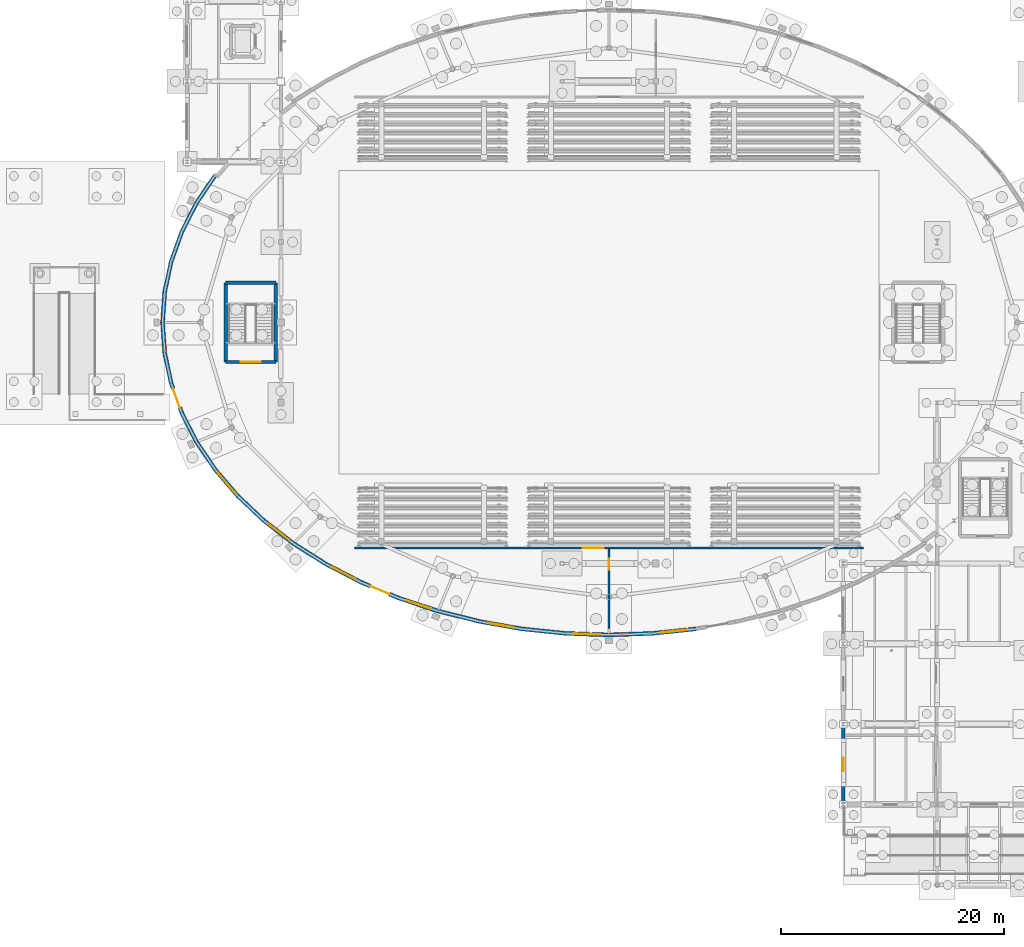
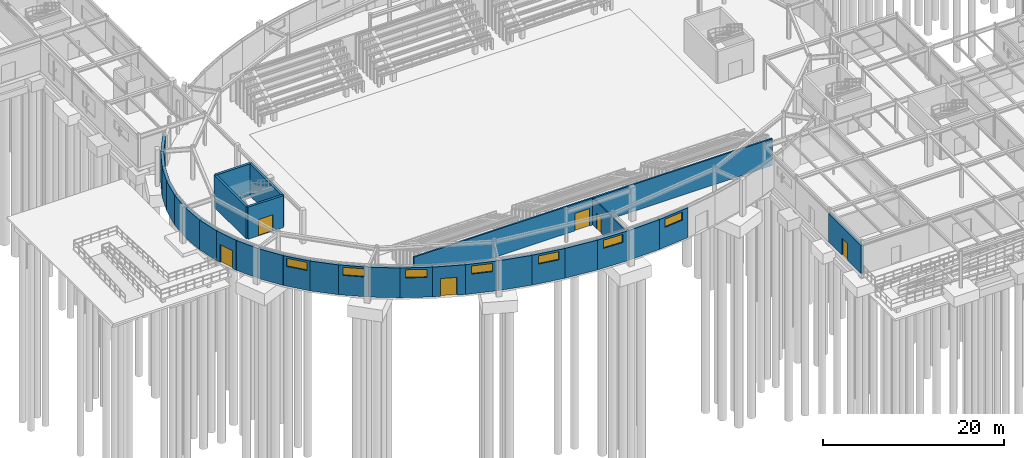
# One storey, part 57 of 93: 30 walls, 7 windows, 6 doors, 13 openings.
"""IFC4 building model written with IfcOpenShell, lengths in metres."""

from ifc_helpers import new_model, si_unit, derived_unit, direction, frame, frame_2d, origin, place, context, subcontext, project, spatial, rectangle, extrude, material, layer, layer_set, type_object, element, fill, save


model = new_model("IFC4")

# Units and contexts
model_context = context("Model", 3, precision=1e-05, world=origin(), true_north=direction((0.0, 1.0)))
body_context = subcontext(model_context, "Body", "Model", "MODEL_VIEW")
ifc_project = project(units=[si_unit("LENGTHUNIT", "METRE"), si_unit("AREAUNIT", "SQUARE_METRE"), si_unit("VOLUMEUNIT", "CUBIC_METRE"), si_unit("PLANEANGLEUNIT", "RADIAN"), si_unit("MASSUNIT", "GRAM", prefix="KILO"), derived_unit("THERMALTRANSMITTANCEUNIT", [(si_unit("MASSUNIT", "GRAM", prefix="KILO"), 1), (si_unit("TIMEUNIT", "SECOND"), -3), (si_unit("THERMODYNAMICTEMPERATUREUNIT", "KELVIN"), -1)])], contexts=[model_context])

# Site, building, storey
site_placement = place(None, origin())
site = spatial("IfcSite", under=ifc_project, at=site_placement, CompositionType="ELEMENT")
building_placement = place(site_placement, origin())
building = spatial("IfcBuilding", under=site, at=building_placement, Name="Kharveza Railside Sports Centre", CompositionType="ELEMENT")
storey_placement = place(building_placement, origin())
storey = spatial("IfcBuildingStorey", under=building, at=storey_placement, Name="L00", CompositionType="ELEMENT", Elevation=0.0)

# Wall, opening, door
ifc_material_1 = material(Name="Concrete C35/45", Category="concrete")
ifc_layer_1 = layer(ifc_material_1, 0.300048828125, Name="Concrete C35/45")
ifc_layer_set_1 = layer_set([ifc_layer_1], Name="Concrete C35/45")
wall_type_1 = type_object("IfcWallType", Name="WL-CR300", PredefinedType="SHEAR", material=ifc_layer_set_1)
wall_1_placement = place(storey_placement, frame((20.25, 46.85009765625, 0.0), z_axis=(0.0, 0.0, 1.0), x_axis=(1.0, 0.0, 0.0)))
wall_1 = element("IfcWall", 1, at=wall_1_placement, inside=storey, type_object=wall_type_1, Name="WL-CORE-ST7-L00-S", PredefinedType="SHEAR", context=body_context, shape_type="SweptSolid", body=[
    extrude(rectangle(XDim=4.5, YDim=0.300048828125, at=frame_2d((2.25, 0.0))), origin(), (0.0, 0.0, 1.0), 4.320068359375),
])
opening_1_placement = place(wall_1_placement, frame((1.35009765625, 0.0, 0.0)))
opening_1 = element("IfcOpeningElement", 2, at=opening_1_placement, cuts=wall_1, Name="Opening D08", PredefinedType="OPENING", context=body_context, shape_type="SweptSolid", body=[
    extrude(rectangle(XDim=1.800048828125, YDim=2.199951171875, at=frame_2d((0.89990234375, 1.10009765625))), frame((0.0, 0.1748046875, 0.0), z_axis=(0.0, -1.0, 0.0), x_axis=(1.0, 0.0, 0.0)), (0.0, 0.0, 1.0), 0.349853515625),
])
ifc_material_2 = material(Name="Fire-rated hardwood door leaf", Category="wood")
door_type_1 = type_object("IfcDoorType", Name="DR-ST01", OperationType="NOTDEFINED", PredefinedType="DOOR", material=ifc_material_2)
door_1_placement = place(opening_1_placement, frame((1.800048828125, 0.0, 0.0), z_axis=(0.0, 0.0, 1.0), x_axis=(-1.0, 0.0, 0.0)))
door_1 = element("IfcDoor", 3, at=door_1_placement, inside=storey, type_object=door_type_1, Name="DR-ST-ST7-L00", OperationType="DOUBLE_DOOR_SINGLE_SWING", OverallHeight=2.199951171875, OverallWidth=1.800048828125, PredefinedType="DOOR", context=body_context, shape_type="SweptSolid", body=[
    extrude(rectangle(XDim=1.800048828125, YDim=2.199951171875, at=frame_2d((0.89990234375, 1.10009765625))), frame((0.0, 0.02490234375, 0.0), z_axis=(0.0, -1.0, 0.0), x_axis=(1.0, 0.0, 0.0)), (0.0, 0.0, 1.0), 0.050048828125),
])
fill(opening_1, door_1)

# Walls
wall_2_placement = place(storey_placement, frame((24.75, 46.85009765625, 0.0), z_axis=(0.0, 0.0, 1.0), x_axis=(0.0, 1.0, 0.0)))
element("IfcWall", 4, at=wall_2_placement, inside=storey, type_object=wall_type_1, Name="WL-CORE-ST7-L00-E", PredefinedType="SHEAR", context=body_context, shape_type="SweptSolid", body=[
    extrude(rectangle(XDim=7.099853515625, YDim=0.300048828125, at=frame_2d((3.5498046875, 0.0))), origin(), (0.0, 0.0, 1.0), 4.320068359375),
])
wall_3_placement = place(storey_placement, frame((24.75, 53.949951171875, 0.0), z_axis=(0.0, 0.0, 1.0), x_axis=(-1.0, 0.0, 0.0)))
element("IfcWall", 5, at=wall_3_placement, inside=storey, type_object=wall_type_1, Name="WL-CORE-ST7-L00-N", PredefinedType="SHEAR", context=body_context, shape_type="SweptSolid", body=[
    extrude(rectangle(XDim=4.5, YDim=0.300048828125, at=frame_2d((2.25, 0.0))), origin(), (0.0, 0.0, 1.0), 4.320068359375),
])
wall_4_placement = place(storey_placement, frame((20.25, 53.949951171875, 0.0), z_axis=(0.0, 0.0, 1.0), x_axis=(0.0, -1.0, 0.0)))
element("IfcWall", 6, at=wall_4_placement, inside=storey, type_object=wall_type_1, Name="WL-CORE-ST7-L00-W", PredefinedType="SHEAR", context=body_context, shape_type="SweptSolid", body=[
    extrude(rectangle(XDim=7.099853515625, YDim=0.300048828125, at=frame_2d((3.5498046875, 0.0))), origin(), (0.0, 0.0, 1.0), 4.320068359375),
])
ifc_material_3 = material(Name="Precast concrete C40/50", Category="concrete")
ifc_layer_2 = layer(ifc_material_3, 0.360107421875, Name="Precast concrete C40/50")
ifc_layer_set_2 = layer_set([ifc_layer_2], Name="Precast concrete C40/50")
wall_type_2 = type_object("IfcWallType", Name="WL-DR360", PredefinedType="STANDARD", material=ifc_layer_set_2)
wall_5_placement = place(storey_placement, frame((19.3232421875, 63.59912109375, 0.0), z_axis=(0.0, 0.0, 1.0), x_axis=(-0.559895189709, -0.82856344147, 0.0)))
element("IfcWall", 7, at=wall_5_placement, inside=storey, type_object=wall_type_2, Name="WL-DRUM-L00-28", PredefinedType="STANDARD", context=body_context, shape_type="SweptSolid", body=[
    extrude(rectangle(XDim=2.997802734375, YDim=0.360107421875, at=frame_2d((1.4990234375, 0.0))), origin(), (0.0, 0.0, 1.0), 4.010009765625),
])
wall_6_placement = place(storey_placement, frame((17.644775390625, 61.115234375, 0.0), z_axis=(0.0, 0.0, 1.0), x_axis=(-0.455161394879, -0.890408953578, 0.0)))
element("IfcWall", 8, at=wall_6_placement, inside=storey, type_object=wall_type_2, Name="WL-DRUM-L00-29", PredefinedType="STANDARD", context=body_context, shape_type="SweptSolid", body=[
    extrude(rectangle(XDim=2.905517578125, YDim=0.360107421875, at=frame_2d((1.45263671875, 0.0))), origin(), (0.0, 0.0, 1.0), 4.010009765625),
])
wall_7_placement = place(storey_placement, frame((16.322265625, 58.528076171875, 0.0), z_axis=(0.0, 0.0, 1.0), x_axis=(-0.336849879302, -0.941558367184, 0.0)))
element("IfcWall", 9, at=wall_7_placement, inside=storey, type_object=wall_type_2, Name="WL-DRUM-L00-30", PredefinedType="STANDARD", context=body_context, shape_type="SweptSolid", body=[
    extrude(rectangle(XDim=2.8310546875, YDim=0.360107421875, at=frame_2d((1.41552734375, 0.0))), origin(), (0.0, 0.0, 1.0), 4.010009765625),
])
wall_8_placement = place(storey_placement, frame((15.36865234375, 55.862548828125, 0.0), z_axis=(0.0, 0.0, 1.0), x_axis=(-0.207290160052, -0.978279504817, 0.0)))
element("IfcWall", 10, at=wall_8_placement, inside=storey, type_object=wall_type_2, Name="WL-DRUM-L00-31", PredefinedType="STANDARD", context=body_context, shape_type="SweptSolid", body=[
    extrude(rectangle(XDim=2.7783203125, YDim=0.360107421875, at=frame_2d((1.38916015625, 0.0))), origin(), (0.0, 0.0, 1.0), 4.010009765625),
])
wall_9_placement = place(storey_placement, frame((14.792724609375, 53.14453125, 0.0), z_axis=(0.0, 0.0, 1.0), x_axis=(-0.070011027008, -0.997546217524, 0.0)))
element("IfcWall", 11, at=wall_9_placement, inside=storey, type_object=wall_type_2, Name="WL-DRUM-L00-32", PredefinedType="STANDARD", context=body_context, shape_type="SweptSolid", body=[
    extrude(rectangle(XDim=2.75146484375, YDim=0.360107421875, at=frame_2d((1.375732421875, 0.0))), origin(), (0.0, 0.0, 1.0), 4.010009765625),
])
wall_10_placement = place(storey_placement, frame((14.60009765625, 50.39990234375, 0.0), z_axis=(0.0, 0.0, 1.0), x_axis=(0.070017224661, -0.997545782534, 0.0)))
element("IfcWall", 12, at=wall_10_placement, inside=storey, type_object=wall_type_2, Name="WL-DRUM-L00-33", PredefinedType="STANDARD", context=body_context, shape_type="SweptSolid", body=[
    extrude(rectangle(XDim=2.751220703125, YDim=0.360107421875, at=frame_2d((1.37548828125, 0.0))), origin(), (0.0, 0.0, 1.0), 4.010009765625),
])
wall_11_placement = place(storey_placement, frame((14.792724609375, 47.655517578125, 0.0), z_axis=(0.0, 0.0, 1.0), x_axis=(0.207290160052, -0.978279504817, 0.0)))
element("IfcWall", 13, at=wall_11_placement, inside=storey, type_object=wall_type_2, Name="WL-DRUM-L00-34", PredefinedType="STANDARD", context=body_context, shape_type="SweptSolid", body=[
    extrude(rectangle(XDim=2.7783203125, YDim=0.360107421875, at=frame_2d((1.38916015625, 0.0))), origin(), (0.0, 0.0, 1.0), 4.010009765625),
])

# Wall, opening, door
wall_12_placement = place(storey_placement, frame((15.36865234375, 44.9375, 0.0), z_axis=(0.0, 0.0, 1.0), x_axis=(0.336849879302, -0.941558367184, 0.0)))
wall_12 = element("IfcWall", 14, at=wall_12_placement, inside=storey, type_object=wall_type_2, Name="WL-DRUM-L00-35", PredefinedType="STANDARD", context=body_context, shape_type="SweptSolid", body=[
    extrude(rectangle(XDim=2.8310546875, YDim=0.360107421875, at=frame_2d((1.41552734375, 0.0))), origin(), (0.0, 0.0, 1.0), 4.010009765625),
])
opening_2_placement = place(wall_12_placement, frame((0.515380859375, 0.0, 0.0)))
opening_2 = element("IfcOpeningElement", 15, at=opening_2_placement, cuts=wall_12, Name="Opening D03", PredefinedType="OPENING", context=body_context, shape_type="SweptSolid", body=[
    extrude(rectangle(XDim=1.800048828125, YDim=2.39990234375, at=frame_2d((0.89990234375, 1.199951171875))), frame((0.0, 0.205078125, 0.0), z_axis=(0.0, -1.0, 0.0), x_axis=(1.0, 0.0, 0.0)), (0.0, 0.0, 1.0), 0.409912109375),
])
ifc_material_4 = material(Name="Anodised aluminium 6063-T6", Category="aluminium")
door_type_2 = type_object("IfcDoorType", Name="DR-EX03", OperationType="NOTDEFINED", PredefinedType="DOOR", material=ifc_material_4)
door_2_placement = place(opening_2_placement, frame((1.800048828125, 0.0, 0.0), z_axis=(0.0, 0.0, 1.0), x_axis=(-1.0, 0.0, 0.0)))
door_2 = element("IfcDoor", 16, at=door_2_placement, inside=storey, type_object=door_type_2, Name="DR-DRUM-EX-35", OperationType="DOUBLE_DOOR_SINGLE_SWING", OverallHeight=2.39990234375, OverallWidth=1.800048828125, PredefinedType="DOOR", context=body_context, shape_type="SweptSolid", body=[
    extrude(rectangle(XDim=1.800048828125, YDim=2.39990234375, at=frame_2d((0.89990234375, 1.199951171875))), frame((0.0, 0.02490234375, 0.0), z_axis=(0.0, -1.0, 0.0), x_axis=(1.0, 0.0, 0.0)), (0.0, 0.0, 1.0), 0.050048828125),
])
fill(opening_2, door_2)

# Walls
wall_13_placement = place(storey_placement, frame((16.322265625, 42.27197265625, 0.0), z_axis=(0.0, 0.0, 1.0), x_axis=(0.455161394879, -0.890408953578, 0.0)))
element("IfcWall", 17, at=wall_13_placement, inside=storey, type_object=wall_type_2, Name="WL-DRUM-L00-36", PredefinedType="STANDARD", context=body_context, shape_type="SweptSolid", body=[
    extrude(rectangle(XDim=2.905517578125, YDim=0.360107421875, at=frame_2d((1.45263671875, 0.0))), origin(), (0.0, 0.0, 1.0), 4.010009765625),
])
wall_14_placement = place(storey_placement, frame((17.644775390625, 39.684814453125, 0.0), z_axis=(0.0, 0.0, 1.0), x_axis=(0.559895189709, -0.82856344147, 0.0)))
element("IfcWall", 18, at=wall_14_placement, inside=storey, type_object=wall_type_2, Name="WL-DRUM-L00-37", PredefinedType="STANDARD", context=body_context, shape_type="SweptSolid", body=[
    extrude(rectangle(XDim=2.997802734375, YDim=0.360107421875, at=frame_2d((1.4990234375, 0.0))), origin(), (0.0, 0.0, 1.0), 4.010009765625),
])

# Wall, opening, window
wall_15_placement = place(storey_placement, frame((19.3232421875, 37.200927734375, 0.0), z_axis=(0.0, 0.0, 1.0), x_axis=(0.650389538769, -0.759600847722, 0.0)))
wall_15 = element("IfcWall", 19, at=wall_15_placement, inside=storey, type_object=wall_type_2, Name="WL-DRUM-L00-38", PredefinedType="STANDARD", context=body_context, shape_type="SweptSolid", body=[
    extrude(rectangle(XDim=3.102783203125, YDim=0.360107421875, at=frame_2d((1.55126953125, 0.0))), origin(), (0.0, 0.0, 1.0), 4.010009765625),
])
opening_3_placement = place(wall_15_placement, frame((0.351318359375, 0.0, 2.64990234375)))
opening_3 = element("IfcOpeningElement", 20, at=opening_3_placement, cuts=wall_15, Name="Opening WN09", PredefinedType="OPENING", context=body_context, shape_type="SweptSolid", body=[
    extrude(rectangle(XDim=2.39990234375, YDim=1.10009765625, at=frame_2d((1.199951171875, 0.550048828125))), frame((0.0, 0.205078125, 0.0), z_axis=(0.0, -1.0, 0.0), x_axis=(1.0, 0.0, 0.0)), (0.0, 0.0, 1.0), 0.409912109375),
])
ifc_material_5 = material(Name="Low-E solar-control laminated glass", Category="glass")
window_type = type_object("IfcWindowType", Name="WN-F09", PartitioningType="SINGLE_PANEL", PredefinedType="WINDOW", material=ifc_material_5)
window_1_placement = place(opening_3_placement, origin())
window_1 = element("IfcWindow", 21, at=window_1_placement, inside=storey, type_object=window_type, Name="WN-DRUM-CL-38", OverallHeight=1.10009765625, OverallWidth=2.39990234375, PartitioningType="SINGLE_PANEL", PredefinedType="WINDOW", context=body_context, shape_type="SweptSolid", body=[
    extrude(rectangle(XDim=2.39990234375, YDim=1.10009765625, at=frame_2d((1.199951171875, 0.550048828125))), frame((0.0, 0.030029296875, 0.0), z_axis=(0.0, -1.0, 0.0), x_axis=(1.0, 0.0, 0.0)), (0.0, 0.0, 1.0), 0.06005859375),
])
fill(opening_3, window_1)

# Wall
wall_16_placement = place(storey_placement, frame((21.34130859375, 34.843994140625, 0.0), z_axis=(0.0, 0.0, 1.0), x_axis=(0.727236314573, -0.686387166814, 0.0)))
element("IfcWall", 22, at=wall_16_placement, inside=storey, type_object=wall_type_2, Name="WL-DRUM-L00-39", PredefinedType="STANDARD", context=body_context, shape_type="SweptSolid", body=[
    extrude(rectangle(XDim=3.21533203125, YDim=0.360107421875, at=frame_2d((1.607666015625, 0.0))), origin(), (0.0, 0.0, 1.0), 4.010009765625),
])

# Wall, opening, window
wall_17_placement = place(storey_placement, frame((23.6796875, 32.636962890625, 0.0), z_axis=(0.0, 0.0, 1.0), x_axis=(0.79143167559, -0.611257640339, 0.0)))
wall_17 = element("IfcWall", 23, at=wall_17_placement, inside=storey, type_object=wall_type_2, Name="WL-DRUM-L00-40", PredefinedType="STANDARD", context=body_context, shape_type="SweptSolid", body=[
    extrude(rectangle(XDim=3.33056640625, YDim=0.360107421875, at=frame_2d((1.665283203125, 0.0))), origin(), (0.0, 0.0, 1.0), 4.010009765625),
])
opening_4_placement = place(wall_17_placement, frame((0.46533203125, 0.0, 2.64990234375)))
opening_4 = element("IfcOpeningElement", 24, at=opening_4_placement, cuts=wall_17, Name="Opening WN09", PredefinedType="OPENING", context=body_context, shape_type="SweptSolid", body=[
    extrude(rectangle(XDim=2.39990234375, YDim=1.10009765625, at=frame_2d((1.199951171875, 0.550048828125))), frame((0.0, 0.205078125, 0.0), z_axis=(0.0, -1.0, 0.0), x_axis=(1.0, 0.0, 0.0)), (0.0, 0.0, 1.0), 0.409912109375),
])
window_2_placement = place(opening_4_placement, origin())
window_2 = element("IfcWindow", 25, at=window_2_placement, inside=storey, type_object=window_type, Name="WN-DRUM-CL-40", OverallHeight=1.10009765625, OverallWidth=2.39990234375, PartitioningType="SINGLE_PANEL", PredefinedType="WINDOW", context=body_context, shape_type="SweptSolid", body=[
    extrude(rectangle(XDim=2.39990234375, YDim=1.10009765625, at=frame_2d((1.199951171875, 0.550048828125))), frame((0.0, 0.030029296875, 0.0), z_axis=(0.0, -1.0, 0.0), x_axis=(1.0, 0.0, 0.0)), (0.0, 0.0, 1.0), 0.06005859375),
])
fill(opening_4, window_2)

# Wall
wall_18_placement = place(storey_placement, frame((26.315673828125, 30.60107421875, 0.0), z_axis=(0.0, 0.0, 1.0), x_axis=(0.844387377206, -0.535733102594, 0.0)))
element("IfcWall", 26, at=wall_18_placement, inside=storey, type_object=wall_type_2, Name="WL-DRUM-L00-41", PredefinedType="STANDARD", context=body_context, shape_type="SweptSolid", body=[
    extrude(rectangle(XDim=3.44482421875, YDim=0.360107421875, at=frame_2d((1.722412109375, 0.0))), origin(), (0.0, 0.0, 1.0), 4.010009765625),
])

# Wall, opening, window
wall_19_placement = place(storey_placement, frame((29.224365234375, 28.755615234375, 0.0), z_axis=(0.0, 0.0, 1.0), x_axis=(0.887533910416, -0.460742398593, 0.0)))
wall_19 = element("IfcWall", 27, at=wall_19_placement, inside=storey, type_object=wall_type_2, Name="WL-DRUM-L00-42", PredefinedType="STANDARD", context=body_context, shape_type="SweptSolid", body=[
    extrude(rectangle(XDim=3.55224609375, YDim=0.360107421875, at=frame_2d((1.776123046875, 0.0))), origin(), (0.0, 0.0, 1.0), 4.010009765625),
])
opening_5_placement = place(wall_19_placement, frame((0.576171875, 0.0, 2.64990234375)))
opening_5 = element("IfcOpeningElement", 28, at=opening_5_placement, cuts=wall_19, Name="Opening WN09", PredefinedType="OPENING", context=body_context, shape_type="SweptSolid", body=[
    extrude(rectangle(XDim=2.39990234375, YDim=1.10009765625, at=frame_2d((1.199951171875, 0.550048828125))), frame((0.0, 0.205078125, 0.0), z_axis=(0.0, -1.0, 0.0), x_axis=(1.0, 0.0, 0.0)), (0.0, 0.0, 1.0), 0.409912109375),
])
window_3_placement = place(opening_5_placement, origin())
window_3 = element("IfcWindow", 29, at=window_3_placement, inside=storey, type_object=window_type, Name="WN-DRUM-CL-42", OverallHeight=1.10009765625, OverallWidth=2.39990234375, PartitioningType="SINGLE_PANEL", PredefinedType="WINDOW", context=body_context, shape_type="SweptSolid", body=[
    extrude(rectangle(XDim=2.39990234375, YDim=1.10009765625, at=frame_2d((1.199951171875, 0.550048828125))), frame((0.0, 0.030029296875, 0.0), z_axis=(0.0, -1.0, 0.0), x_axis=(1.0, 0.0, 0.0)), (0.0, 0.0, 1.0), 0.06005859375),
])
fill(opening_5, window_3)

# Wall, opening, door
wall_20_placement = place(storey_placement, frame((32.377197265625, 27.118896484375, 0.0), z_axis=(0.0, 0.0, 1.0), x_axis=(0.922130522386, -0.386878921219, 0.0)))
wall_20 = element("IfcWall", 30, at=wall_20_placement, inside=storey, type_object=wall_type_2, Name="WL-DRUM-L00-43", PredefinedType="STANDARD", context=body_context, shape_type="SweptSolid", body=[
    extrude(rectangle(XDim=3.6513671875, YDim=0.360107421875, at=frame_2d((1.82568359375, 0.0))), origin(), (0.0, 0.0, 1.0), 4.010009765625),
])
opening_6_placement = place(wall_20_placement, frame((0.925537109375, 0.0, 0.0)))
opening_6 = element("IfcOpeningElement", 31, at=opening_6_placement, cuts=wall_20, Name="Opening D03", PredefinedType="OPENING", context=body_context, shape_type="SweptSolid", body=[
    extrude(rectangle(XDim=1.800048828125, YDim=2.39990234375, at=frame_2d((0.89990234375, 1.199951171875))), frame((0.0, 0.205078125, 0.0), z_axis=(0.0, -1.0, 0.0), x_axis=(1.0, 0.0, 0.0)), (0.0, 0.0, 1.0), 0.409912109375),
])
door_3_placement = place(opening_6_placement, frame((1.800048828125, 0.0, 0.0), z_axis=(0.0, 0.0, 1.0), x_axis=(-1.0, 0.0, 0.0)))
door_3 = element("IfcDoor", 32, at=door_3_placement, inside=storey, type_object=door_type_2, Name="DR-DRUM-EX-43", OperationType="DOUBLE_DOOR_SINGLE_SWING", OverallHeight=2.39990234375, OverallWidth=1.800048828125, PredefinedType="DOOR", context=body_context, shape_type="SweptSolid", body=[
    extrude(rectangle(XDim=1.800048828125, YDim=2.39990234375, at=frame_2d((0.89990234375, 1.199951171875))), frame((0.0, 0.02490234375, 0.0), z_axis=(0.0, -1.0, 0.0), x_axis=(1.0, 0.0, 0.0)), (0.0, 0.0, 1.0), 0.050048828125),
])
fill(opening_6, door_3)

# Wall, opening, window
wall_21_placement = place(storey_placement, frame((35.744140625, 25.706298828125, 0.0), z_axis=(0.0, 0.0, 1.0), x_axis=(0.949327915917, -0.314287301781, 0.0)))
wall_21 = element("IfcWall", 33, at=wall_21_placement, inside=storey, type_object=wall_type_2, Name="WL-DRUM-L00-44", PredefinedType="STANDARD", context=body_context, shape_type="SweptSolid", body=[
    extrude(rectangle(XDim=3.738037109375, YDim=0.360107421875, at=frame_2d((1.869140625, 0.0))), origin(), (0.0, 0.0, 1.0), 4.010009765625),
])
opening_7_placement = place(wall_21_placement, frame((0.6689453125, 0.0, 2.64990234375)))
opening_7 = element("IfcOpeningElement", 34, at=opening_7_placement, cuts=wall_21, Name="Opening WN09", PredefinedType="OPENING", context=body_context, shape_type="SweptSolid", body=[
    extrude(rectangle(XDim=2.39990234375, YDim=1.10009765625, at=frame_2d((1.199951171875, 0.550048828125))), frame((0.0, 0.205078125, 0.0), z_axis=(0.0, -1.0, 0.0), x_axis=(1.0, 0.0, 0.0)), (0.0, 0.0, 1.0), 0.409912109375),
])
window_4_placement = place(opening_7_placement, origin())
window_4 = element("IfcWindow", 35, at=window_4_placement, inside=storey, type_object=window_type, Name="WN-DRUM-CL-44", OverallHeight=1.10009765625, OverallWidth=2.39990234375, PartitioningType="SINGLE_PANEL", PredefinedType="WINDOW", context=body_context, shape_type="SweptSolid", body=[
    extrude(rectangle(XDim=2.39990234375, YDim=1.10009765625, at=frame_2d((1.199951171875, 0.550048828125))), frame((0.0, 0.030029296875, 0.0), z_axis=(0.0, -1.0, 0.0), x_axis=(1.0, 0.0, 0.0)), (0.0, 0.0, 1.0), 0.06005859375),
])
fill(opening_7, window_4)

# Wall
wall_22_placement = place(storey_placement, frame((39.292724609375, 24.531494140625, 0.0), z_axis=(0.0, 0.0, 1.0), x_axis=(0.970029313946, -0.242987921686, 0.0)))
element("IfcWall", 36, at=wall_22_placement, inside=storey, type_object=wall_type_2, Name="WL-DRUM-L00-45", PredefinedType="STANDARD", context=body_context, shape_type="SweptSolid", body=[
    extrude(rectangle(XDim=3.81005859375, YDim=0.360107421875, at=frame_2d((1.905029296875, 0.0))), origin(), (0.0, 0.0, 1.0), 4.010009765625),
])

# Wall, opening, window
wall_23_placement = place(storey_placement, frame((42.988525390625, 23.605712890625, 0.0), z_axis=(0.0, 0.0, 1.0), x_axis=(0.984971163925, -0.172718864739, 0.0)))
wall_23 = element("IfcWall", 37, at=wall_23_placement, inside=storey, type_object=wall_type_2, Name="WL-DRUM-L00-46", PredefinedType="STANDARD", context=body_context, shape_type="SweptSolid", body=[
    extrude(rectangle(XDim=3.865966796875, YDim=0.360107421875, at=frame_2d((1.93310546875, 0.0))), origin(), (0.0, 0.0, 1.0), 4.010009765625),
])
opening_8_placement = place(wall_23_placement, frame((0.73291015625, 0.0, 2.64990234375)))
opening_8 = element("IfcOpeningElement", 38, at=opening_8_placement, cuts=wall_23, Name="Opening WN09", PredefinedType="OPENING", context=body_context, shape_type="SweptSolid", body=[
    extrude(rectangle(XDim=2.39990234375, YDim=1.10009765625, at=frame_2d((1.199951171875, 0.550048828125))), frame((0.0, 0.205078125, 0.0), z_axis=(0.0, -1.0, 0.0), x_axis=(1.0, 0.0, 0.0)), (0.0, 0.0, 1.0), 0.409912109375),
])
window_5_placement = place(opening_8_placement, origin())
window_5 = element("IfcWindow", 39, at=window_5_placement, inside=storey, type_object=window_type, Name="WN-DRUM-CL-46", OverallHeight=1.10009765625, OverallWidth=2.39990234375, PartitioningType="SINGLE_PANEL", PredefinedType="WINDOW", context=body_context, shape_type="SweptSolid", body=[
    extrude(rectangle(XDim=2.39990234375, YDim=1.10009765625, at=frame_2d((1.199951171875, 0.550048828125))), frame((0.0, 0.030029296875, 0.0), z_axis=(0.0, -1.0, 0.0), x_axis=(1.0, 0.0, 0.0)), (0.0, 0.0, 1.0), 0.06005859375),
])
fill(opening_8, window_5)

# Wall
wall_24_placement = place(storey_placement, frame((46.79638671875, 22.93798828125, 0.0), z_axis=(0.0, 0.0, 1.0), x_axis=(0.994654867494, -0.103255482032, 0.0)))
element("IfcWall", 40, at=wall_24_placement, inside=storey, type_object=wall_type_2, Name="WL-DRUM-L00-47", PredefinedType="STANDARD", context=body_context, shape_type="SweptSolid", body=[
    extrude(rectangle(XDim=3.903564453125, YDim=0.360107421875, at=frame_2d((1.95166015625, 0.0))), origin(), (0.0, 0.0, 1.0), 4.010009765625),
])

# Wall, opening, window
wall_25_placement = place(storey_placement, frame((50.67919921875, 22.534912109375, 0.0), z_axis=(0.0, 0.0, 1.0), x_axis=(0.999407697997, -0.034412979887, 0.0)))
wall_25 = element("IfcWall", 41, at=wall_25_placement, inside=storey, type_object=wall_type_2, Name="WL-DRUM-L00-48", PredefinedType="STANDARD", context=body_context, shape_type="SweptSolid", body=[
    extrude(rectangle(XDim=3.92333984375, YDim=0.360107421875, at=frame_2d((1.961669921875, 0.0))), origin(), (0.0, 0.0, 1.0), 4.010009765625),
])
opening_9_placement = place(wall_25_placement, frame((0.761474609375, 0.0, 2.64990234375)))
opening_9 = element("IfcOpeningElement", 42, at=opening_9_placement, cuts=wall_25, Name="Opening WN09", PredefinedType="OPENING", context=body_context, shape_type="SweptSolid", body=[
    extrude(rectangle(XDim=2.39990234375, YDim=1.10009765625, at=frame_2d((1.199951171875, 0.550048828125))), frame((0.0, 0.205078125, 0.0), z_axis=(0.0, -1.0, 0.0), x_axis=(1.0, 0.0, 0.0)), (0.0, 0.0, 1.0), 0.409912109375),
])
window_6_placement = place(opening_9_placement, origin())
window_6 = element("IfcWindow", 43, at=window_6_placement, inside=storey, type_object=window_type, Name="WN-DRUM-CL-48", OverallHeight=1.10009765625, OverallWidth=2.39990234375, PartitioningType="SINGLE_PANEL", PredefinedType="WINDOW", context=body_context, shape_type="SweptSolid", body=[
    extrude(rectangle(XDim=2.39990234375, YDim=1.10009765625, at=frame_2d((1.199951171875, 0.550048828125))), frame((0.0, 0.030029296875, 0.0), z_axis=(0.0, -1.0, 0.0), x_axis=(1.0, 0.0, 0.0)), (0.0, 0.0, 1.0), 0.06005859375),
])
fill(opening_9, window_6)

# Wall
wall_26_placement = place(storey_placement, frame((54.60009765625, 22.39990234375, 0.0), z_axis=(0.0, 0.0, 1.0), x_axis=(0.999407624294, 0.034415120259, 0.0)))
element("IfcWall", 44, at=wall_26_placement, inside=storey, type_object=wall_type_2, Name="WL-DRUM-L00-49", PredefinedType="STANDARD", context=body_context, shape_type="SweptSolid", body=[
    extrude(rectangle(XDim=3.923095703125, YDim=0.360107421875, at=frame_2d((1.96142578125, 0.0))), origin(), (0.0, 0.0, 1.0), 4.010009765625),
])

# Wall, opening, window
wall_27_placement = place(storey_placement, frame((58.520751953125, 22.534912109375, 0.0), z_axis=(0.0, 0.0, 1.0), x_axis=(0.994654867494, 0.103255482032, 0.0)))
wall_27 = element("IfcWall", 45, at=wall_27_placement, inside=storey, type_object=wall_type_2, Name="WL-DRUM-L00-50", PredefinedType="STANDARD", context=body_context, shape_type="SweptSolid", body=[
    extrude(rectangle(XDim=3.903564453125, YDim=0.360107421875, at=frame_2d((1.95166015625, 0.0))), origin(), (0.0, 0.0, 1.0), 4.010009765625),
])
opening_10_placement = place(wall_27_placement, frame((0.751953125, 0.0, 2.64990234375)))
opening_10 = element("IfcOpeningElement", 46, at=opening_10_placement, cuts=wall_27, Name="Opening WN09", PredefinedType="OPENING", context=body_context, shape_type="SweptSolid", body=[
    extrude(rectangle(XDim=2.39990234375, YDim=1.10009765625, at=frame_2d((1.199951171875, 0.550048828125))), frame((0.0, 0.205078125, 0.0), z_axis=(0.0, -1.0, 0.0), x_axis=(1.0, 0.0, 0.0)), (0.0, 0.0, 1.0), 0.409912109375),
])
window_7_placement = place(opening_10_placement, origin())
window_7 = element("IfcWindow", 47, at=window_7_placement, inside=storey, type_object=window_type, Name="WN-DRUM-CL-50", OverallHeight=1.10009765625, OverallWidth=2.39990234375, PartitioningType="SINGLE_PANEL", PredefinedType="WINDOW", context=body_context, shape_type="SweptSolid", body=[
    extrude(rectangle(XDim=2.39990234375, YDim=1.10009765625, at=frame_2d((1.199951171875, 0.550048828125))), frame((0.0, 0.030029296875, 0.0), z_axis=(0.0, -1.0, 0.0), x_axis=(1.0, 0.0, 0.0)), (0.0, 0.0, 1.0), 0.06005859375),
])
fill(opening_10, window_7)

# Wall, opening, door
ifc_layer_3 = layer(ifc_material_3, 0.320068359375, Name="Precast concrete C40/50")
ifc_layer_set_3 = layer_set([ifc_layer_3], Name="Precast concrete C40/50")
wall_type_3 = type_object("IfcWallType", Name="WL-EX320", PredefinedType="STANDARD", material=ifc_layer_set_3)
wall_28_placement = place(storey_placement, frame((75.60009765625, 14.39990234375, 0.0), z_axis=(0.0, 0.0, 1.0), x_axis=(0.0, -1.0, 0.0)))
wall_28 = element("IfcWall", 48, at=wall_28_placement, inside=storey, type_object=wall_type_3, Name="WL-EXT-L00-004", PredefinedType="STANDARD", context=body_context, shape_type="SweptSolid", body=[
    extrude(rectangle(XDim=7.199951171875, YDim=0.320068359375, at=frame_2d((3.60009765625, 0.0))), origin(), (0.0, 0.0, 1.0), 3.804931640625),
])
opening_11_placement = place(wall_28_placement, frame((3.0, 0.0, 0.0)))
opening_11 = element("IfcOpeningElement", 49, at=opening_11_placement, cuts=wall_28, Name="Opening D05", PredefinedType="OPENING", context=body_context, shape_type="SweptSolid", body=[
    extrude(rectangle(XDim=1.199951171875, YDim=2.25, at=frame_2d((0.60009765625, 1.125))), frame((0.0, 0.18505859375, 0.0), z_axis=(0.0, -1.0, 0.0), x_axis=(1.0, 0.0, 0.0)), (0.0, 0.0, 1.0), 0.369873046875),
])
door_type_3 = type_object("IfcDoorType", Name="DR-EX05", OperationType="NOTDEFINED", PredefinedType="DOOR", material=ifc_material_4)
door_4_placement = place(opening_11_placement, frame((1.199951171875, 0.0, 0.0), z_axis=(0.0, 0.0, 1.0), x_axis=(-1.0, 0.0, 0.0)))
door_4 = element("IfcDoor", 50, at=door_4_placement, inside=storey, type_object=door_type_3, Name="DR-L00-EX-002", OperationType="SINGLE_SWING_RIGHT", OverallHeight=2.25, OverallWidth=1.199951171875, PredefinedType="DOOR", context=body_context, shape_type="SweptSolid", body=[
    extrude(rectangle(XDim=1.199951171875, YDim=2.25, at=frame_2d((0.60009765625, 1.125))), frame((0.0, 0.02490234375, 0.0), z_axis=(0.0, -1.0, 0.0), x_axis=(1.0, 0.0, 0.0)), (0.0, 0.0, 1.0), 0.050048828125),
])
fill(opening_11, door_4)

ifc_layer_4 = layer(ifc_material_1, 0.159912109375, Name="Concrete C35/45")
ifc_layer_set_4 = layer_set([ifc_layer_4], Name="Concrete C35/45")
wall_type_4 = type_object("IfcWallType", Name="WL-PT160", PredefinedType="PARTITIONING", material=ifc_layer_set_4)
wall_29_placement = place(storey_placement, frame((54.60009765625, 23.0, 0.0), z_axis=(0.0, 0.0, 1.0), x_axis=(0.0, 1.0, 0.0)))
wall_29 = element("IfcWall", 51, at=wall_29_placement, inside=storey, type_object=wall_type_4, Name="WL-INT-L00-007", PredefinedType="PARTITIONING", context=body_context, shape_type="SweptSolid", body=[
    extrude(rectangle(XDim=7.10009765625, YDim=0.159912109375, at=frame_2d((3.550048828125, 0.0))), origin(), (0.0, 0.0, 1.0), 3.6201171875),
])
opening_12_placement = place(wall_29_placement, frame((5.260009765625, 0.0, 0.0)))
opening_12 = element("IfcOpeningElement", 52, at=opening_12_placement, cuts=wall_29, Name="Opening D30", PredefinedType="OPENING", context=body_context, shape_type="SweptSolid", body=[
    extrude(rectangle(XDim=0.97998046875, YDim=2.10009765625, at=frame_2d((0.489990234375, 1.050048828125))), frame((0.0, 0.10498046875, 0.0), z_axis=(0.0, -1.0, 0.0), x_axis=(1.0, 0.0, 0.0)), (0.0, 0.0, 1.0), 0.209716796875),
])
door_type_4 = type_object("IfcDoorType", Name="DR-Z06", OperationType="NOTDEFINED", PredefinedType="DOOR", material=ifc_material_2)
door_5_placement = place(opening_12_placement, frame((0.97998046875, 0.0, 0.0), z_axis=(0.0, 0.0, 1.0), x_axis=(-1.0, 0.0, 0.0)))
door_5 = element("IfcDoor", 53, at=door_5_placement, inside=storey, type_object=door_type_4, Name="DR-INT-L00-006", OperationType="SINGLE_SWING_LEFT", OverallHeight=2.10009765625, OverallWidth=0.97998046875, PredefinedType="DOOR", context=body_context, shape_type="SweptSolid", body=[
    extrude(rectangle(XDim=0.97998046875, YDim=2.10009765625, at=frame_2d((0.489990234375, 1.050048828125))), frame((0.0, 0.02490234375, 0.0), z_axis=(0.0, -1.0, 0.0), x_axis=(1.0, 0.0, 0.0)), (0.0, 0.0, 1.0), 0.050048828125),
])
fill(opening_12, door_5)

ifc_material_6 = material(Name="Gypsum board acoustic stud partition")
ifc_layer_5 = layer(ifc_material_6, 0.199951171875, Name="Gypsum board acoustic stud partition")
ifc_layer_set_5 = layer_set([ifc_layer_5], Name="Gypsum board acoustic stud partition")
wall_type_5 = type_object("IfcWallType", Name="WL-PT200", PredefinedType="PARTITIONING", material=ifc_layer_set_5)
wall_30_placement = place(storey_placement, frame((31.800048828125, 30.199951171875, 0.0), z_axis=(0.0, 0.0, 1.0), x_axis=(1.0, 0.0, 0.0)))
wall_30 = element("IfcWall", 54, at=wall_30_placement, inside=storey, type_object=wall_type_5, Name="WL-INT-L00-005", PredefinedType="PARTITIONING", context=body_context, shape_type="SweptSolid", body=[
    extrude(rectangle(XDim=45.599853515625, YDim=0.199951171875, at=frame_2d((22.7998046875, 0.0))), origin(), (0.0, 0.0, 1.0), 3.6201171875),
])
opening_13_placement = place(wall_30_placement, frame((20.449951171875, 0.0, 0.0)))
opening_13 = element("IfcOpeningElement", 55, at=opening_13_placement, cuts=wall_30, Name="Opening D13", PredefinedType="OPENING", context=body_context, shape_type="SweptSolid", body=[
    extrude(rectangle(XDim=1.89990234375, YDim=2.35009765625, at=frame_2d((0.949951171875, 1.175048828125))), frame((0.0, 0.125, 0.0), z_axis=(0.0, -1.0, 0.0), x_axis=(1.0, 0.0, 0.0)), (0.0, 0.0, 1.0), 0.249755859375),
])
door_type_5 = type_object("IfcDoorType", Name="DR-IN01", OperationType="NOTDEFINED", PredefinedType="DOOR", material=ifc_material_2)
door_6_placement = place(opening_13_placement, origin())
door_6 = element("IfcDoor", 56, at=door_6_placement, inside=storey, type_object=door_type_5, Name="DR-INT-L00-004", OperationType="DOUBLE_DOOR_SINGLE_SWING", OverallHeight=2.35009765625, OverallWidth=1.89990234375, PredefinedType="DOOR", context=body_context, shape_type="SweptSolid", body=[
    extrude(rectangle(XDim=1.89990234375, YDim=2.35009765625, at=frame_2d((0.949951171875, 1.175048828125))), frame((0.0, 0.02490234375, 0.0), z_axis=(0.0, -1.0, 0.0), x_axis=(1.0, 0.0, 0.0)), (0.0, 0.0, 1.0), 0.050048828125),
])
fill(opening_13, door_6)

save(model, "model.ifc")
